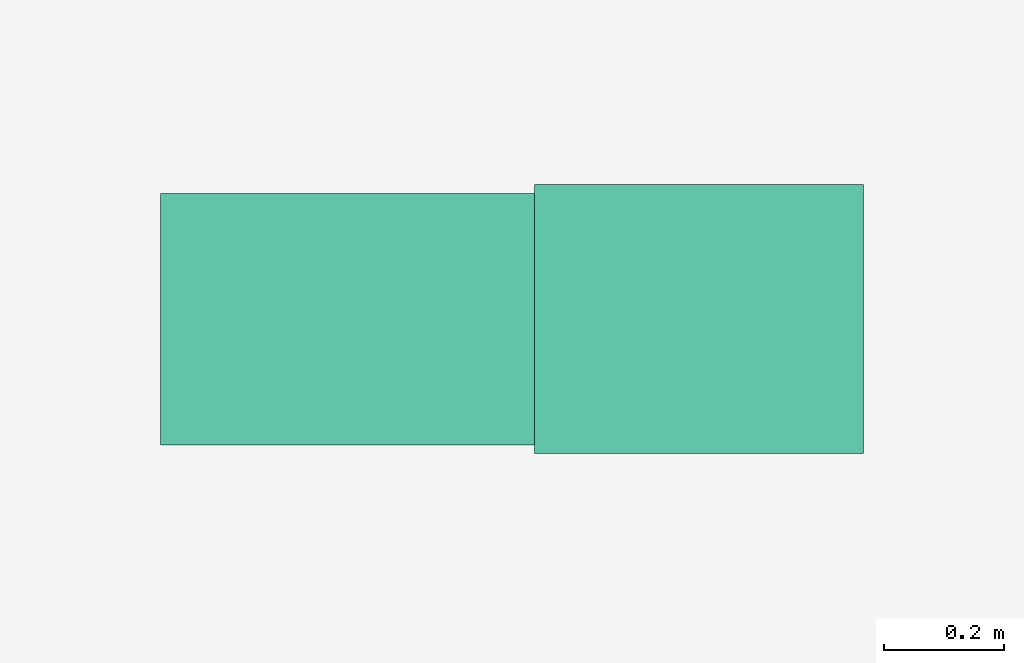
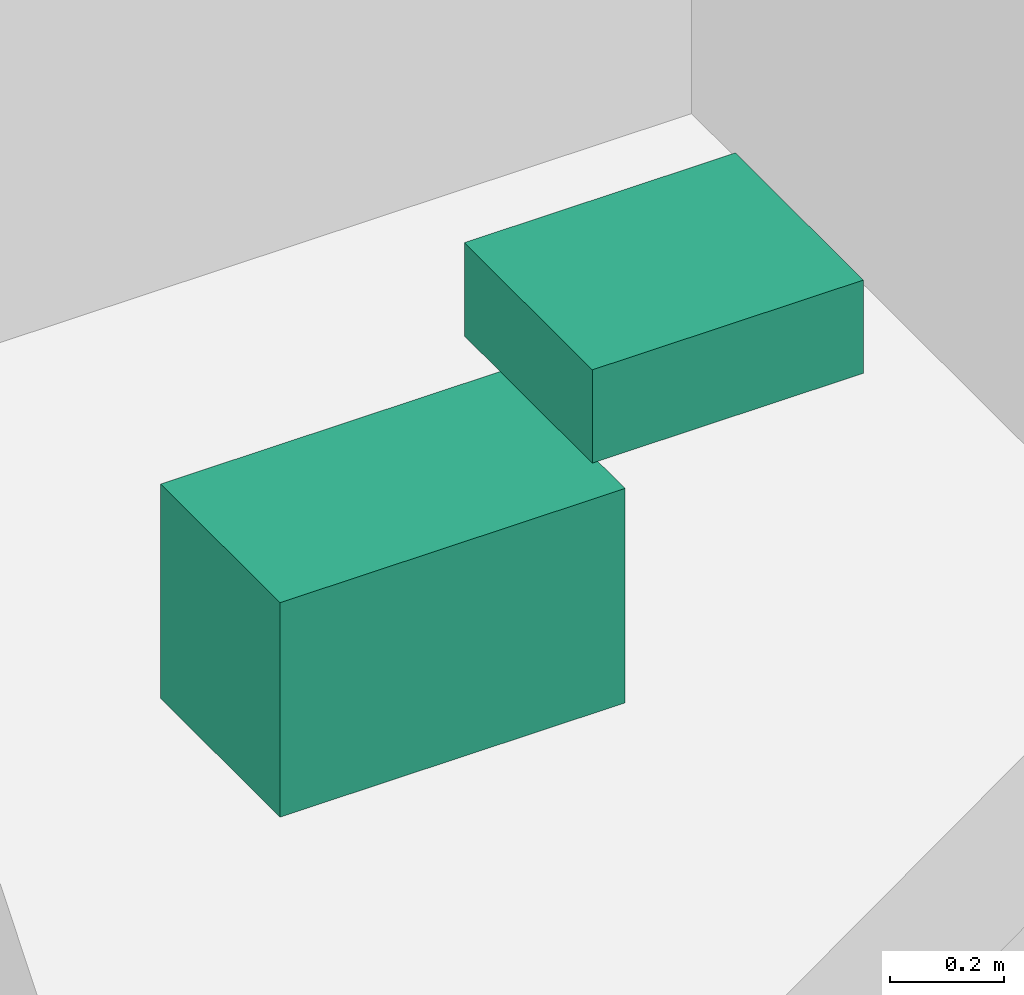
# One storey, part 8 of 9: 2 sanitary terminals.
"""IFC4 building model written with IfcOpenShell, lengths in metres."""

from ifc_helpers import new_model, si_unit, direction, frame, origin, origin_2d, place, context, subcontext, project, spatial, rectangle, extrude, material, type_object, element, save


model = new_model("IFC4")

# Units and contexts
model_context = context("Model", 3, precision=1e-05, world=origin(), true_north=direction((0.0, 1.0)))
body_context = subcontext(model_context, "Body", "Model", "MODEL_VIEW")
ifc_project = project(units=[si_unit("LENGTHUNIT", "METRE"), si_unit("AREAUNIT", "SQUARE_METRE"), si_unit("VOLUMEUNIT", "CUBIC_METRE"), si_unit("PLANEANGLEUNIT", "RADIAN"), si_unit("MASSUNIT", "GRAM", prefix="KILO")], contexts=[model_context])

# Site, building, storey
site_placement = place(None, origin())
site = spatial("IfcSite", under=ifc_project, at=site_placement, CompositionType="ELEMENT")
building_placement = place(site_placement, origin())
building = spatial("IfcBuilding", under=site, at=building_placement, Name="Surkhivell Harbour Commons", CompositionType="ELEMENT")
storey_placement = place(building_placement, frame((0.0, 0.0, -5.39990234375)))
storey = spatial("IfcBuildingStorey", under=building, at=storey_placement, Name="B1", CompositionType="ELEMENT", Elevation=-5.39990234375)

# Sanitary terminals
ifc_material_1 = material(Name="Vitreous china washbasin", Category="other")
sanitary_terminal_type_1 = type_object("IfcSanitaryTerminalType", Name="SAN-BSN", PredefinedType="WASHHANDBASIN", material=ifc_material_1)
sanitary_terminal_1_placement = place(storey_placement, frame((1.89990234375, 2.89990234375, 0.7197265625), z_axis=(0.0, 0.0, 1.0), x_axis=(1.0, 0.0, 0.0)))
element("IfcSanitaryTerminal", 1, at=sanitary_terminal_1_placement, inside=storey, type_object=sanitary_terminal_type_1, Name="B1 Core Accessible WC Washbasin", PredefinedType="WASHHANDBASIN", context=body_context, shape_type="SweptSolid", body=[
    extrude(rectangle(XDim=0.550048828125, YDim=0.449951171875, at=origin_2d()), origin(), (0.0, 0.0, 1.0), 0.199951171875),
])
ifc_material_2 = material(Name="Vitreous china sanitaryware", Category="other")
sanitary_terminal_type_2 = type_object("IfcSanitaryTerminalType", Name="SAN-WC-ACC", PredefinedType="TOILETPAN", material=ifc_material_2)
sanitary_terminal_2_placement = place(storey_placement, frame((1.35009765625, 2.89990234375, 0.169921875), z_axis=(0.0, 0.0, 1.0), x_axis=(1.0, 0.0, 0.0)))
element("IfcSanitaryTerminal", 2, at=sanitary_terminal_2_placement, inside=storey, type_object=sanitary_terminal_type_2, Name="B1 Core Accessible WC", PredefinedType="TOILETPAN", context=body_context, shape_type="SweptSolid", body=[
    extrude(rectangle(XDim=0.699951171875, YDim=0.419921875, at=origin_2d()), origin(), (0.0, 0.0, 1.0), 0.4599609375),
])

save(model, "model.ifc")
